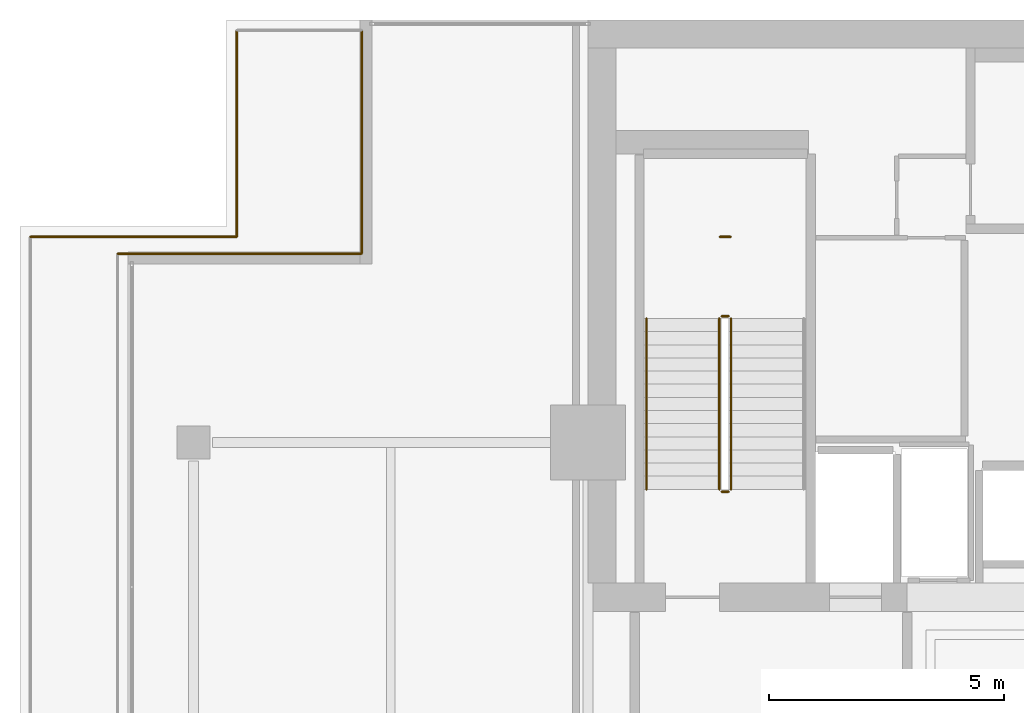
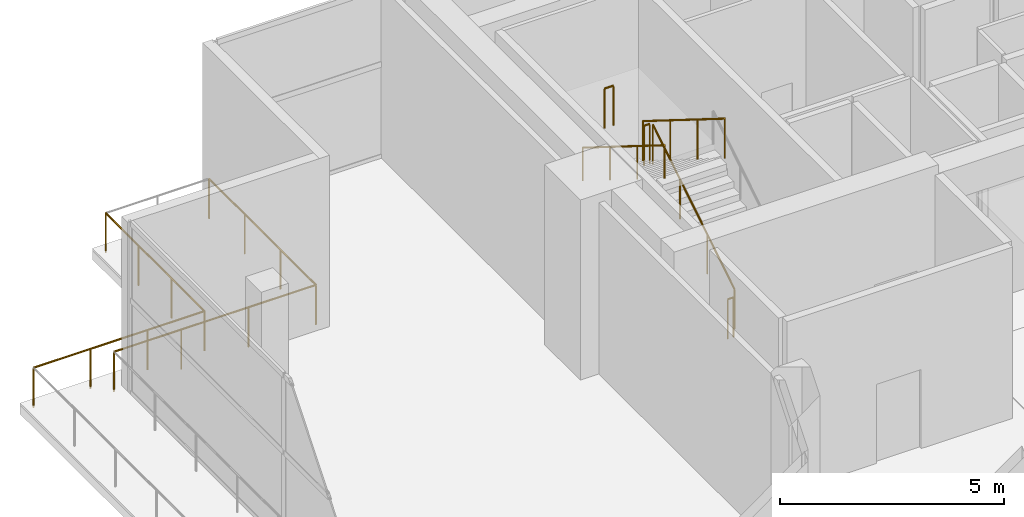
# One storey, part 26 of 28: 10 railings.
"""IFC4 building model written with IfcOpenShell, lengths in metres."""

from ifc_helpers import new_model, si_unit, direction, frame, origin, origin_2d, place, context, subcontext, project, spatial, circle, extrude, material, type_object, element, save


model = new_model("IFC4")

# Units and contexts
model_context = context("Model", 3, precision=1e-05, world=origin(), true_north=direction((0.0, 1.0)))
body_context = subcontext(model_context, "Body", "Model", "MODEL_VIEW")
ifc_project = project(units=[si_unit("LENGTHUNIT", "METRE"), si_unit("AREAUNIT", "SQUARE_METRE"), si_unit("VOLUMEUNIT", "CUBIC_METRE"), si_unit("PLANEANGLEUNIT", "RADIAN"), si_unit("MASSUNIT", "GRAM", prefix="KILO")], contexts=[model_context])

# Site, building, storey
site_placement = place(None, origin())
site = spatial("IfcSite", under=ifc_project, at=site_placement, CompositionType="ELEMENT")
building_placement = place(site_placement, origin())
building = spatial("IfcBuilding", under=site, at=building_placement, Name="Maruvema Waterfront Hotel and Observation Tower", CompositionType="ELEMENT")
storey_placement = place(building_placement, frame((0.0, 0.0, 234.5)))
storey = spatial("IfcBuildingStorey", under=building, at=storey_placement, Name="L57", CompositionType="ELEMENT", Elevation=234.5)

# Railings
ifc_material_1 = material(Name="Brushed stainless steel Grade 316", Category="steel")
railing_type_1 = type_object("IfcRailingType", Name="Ramp Continuous Wall Handrail 920 mm", PredefinedType="HANDRAIL", material=ifc_material_1)
railing_1_placement = place(storey_placement, frame((26.449951171875, 47.639892578125, 2.625)))
element("IfcRailing", 1, at=railing_1_placement, inside=storey, type_object=railing_type_1, Name="L57 ST-01 stair handrail 2", PredefinedType="HANDRAIL", context=body_context, shape_type="SweptSolid", body=[
    extrude(circle(Radius=0.02392578125, at=origin_2d()), frame((0.0, 0.0, 0.89599609375), z_axis=(0.0, -0.848001499411, 0.52999382732), x_axis=(1.0, 0.0, 0.0)), (0.0, 0.0, 1.0), 4.292236328125),
    extrude(circle(Radius=0.02099609375, at=origin_2d()), origin(), (0.0, 0.0, 1.0), 0.871826171875),
    extrude(circle(Radius=0.02099609375, at=origin_2d()), frame((0.0, -1.21337890625, 0.75830078125)), (0.0, 0.0, 1.0), 0.871826171875),
    extrude(circle(Radius=0.02099609375, at=origin_2d()), frame((0.0, -2.426513671875, 1.5166015625)), (0.0, 0.0, 1.0), 0.871826171875),
    extrude(circle(Radius=0.02099609375, at=origin_2d()), frame((0.0, -3.639892578125, 2.27490234375)), (0.0, 0.0, 1.0), 0.871826171875),
])
ifc_material_2 = material(Name="Brushed stainless steel Grade 316", Category="steel")
railing_type_2 = type_object("IfcRailingType", Name="Ramp and Terrace Guard Balustrade 1100 mm", PredefinedType="BALUSTRADE", material=ifc_material_2)
railing_2_placement = place(storey_placement, frame((28.25, 44.0, 0.175048828125)))
element("IfcRailing", 2, at=railing_2_placement, inside=storey, type_object=railing_type_2, Name="L57 ST-01 stair guard 1", PredefinedType="BALUSTRADE", context=body_context, shape_type="SweptSolid", body=[
    extrude(circle(Radius=0.02392578125, at=origin_2d()), frame((0.0, 0.0, 1.076171875), z_axis=(0.0, 0.848001499411, 0.52999382732), x_axis=(-1.0, 0.0, 0.0)), (0.0, 0.0, 1.0), 4.292236328125),
    extrude(circle(Radius=0.02099609375, at=origin_2d()), origin(), (0.0, 0.0, 1.0), 1.052001953125),
    extrude(circle(Radius=0.02099609375, at=origin_2d()), frame((0.0, 1.21337890625, 0.75830078125)), (0.0, 0.0, 1.0), 1.052001953125),
    extrude(circle(Radius=0.02099609375, at=origin_2d()), frame((0.0, 2.426513671875, 1.5166015625)), (0.0, 0.0, 1.0), 1.052001953125),
    extrude(circle(Radius=0.02099609375, at=origin_2d()), frame((0.0, 3.639892578125, 2.27490234375)), (0.0, 0.0, 1.0), 1.052001953125),
])
railing_3_placement = place(storey_placement, frame((28.199951171875, 47.68994140625, 2.449951171875)))
element("IfcRailing", 3, at=railing_3_placement, inside=storey, type_object=railing_type_2, Name="L57 ST-01 stair guard 2", PredefinedType="BALUSTRADE", context=body_context, shape_type="SweptSolid", body=[
    extrude(circle(Radius=0.02392578125, at=origin_2d()), frame((0.0, 0.0, 1.076171875), z_axis=(-1.0, 0.0, 0.0), x_axis=(0.0, -1.0, 0.0)), (0.0, 0.0, 1.0), 0.14990234375),
    extrude(circle(Radius=0.02099609375, at=origin_2d()), origin(), (0.0, 0.0, 1.0), 1.052001953125),
    extrude(circle(Radius=0.02099609375, at=origin_2d()), frame((-0.14990234375, 0.0, 0.0)), (0.0, 0.0, 1.0), 1.052001953125),
])
railing_4_placement = place(storey_placement, frame((28.0, 47.639892578125, 2.625)))
element("IfcRailing", 4, at=railing_4_placement, inside=storey, type_object=railing_type_2, Name="L57 ST-01 stair guard 3", PredefinedType="BALUSTRADE", context=body_context, shape_type="SweptSolid", body=[
    extrude(circle(Radius=0.02392578125, at=origin_2d()), frame((0.0, 0.0, 1.076171875), z_axis=(0.0, -0.848001499411, 0.52999382732), x_axis=(1.0, 0.0, 0.0)), (0.0, 0.0, 1.0), 4.292236328125),
    extrude(circle(Radius=0.02099609375, at=origin_2d()), origin(), (0.0, 0.0, 1.0), 1.052001953125),
    extrude(circle(Radius=0.02099609375, at=origin_2d()), frame((0.0, -1.21337890625, 0.75830078125)), (0.0, 0.0, 1.0), 1.052001953125),
    extrude(circle(Radius=0.02099609375, at=origin_2d()), frame((0.0, -2.426513671875, 1.5166015625)), (0.0, 0.0, 1.0), 1.052001953125),
    extrude(circle(Radius=0.02099609375, at=origin_2d()), frame((0.0, -3.639892578125, 2.27490234375)), (0.0, 0.0, 1.0), 1.052001953125),
])
railing_5_placement = place(storey_placement, frame((28.199951171875, 43.949951171875, 0.0)))
element("IfcRailing", 5, at=railing_5_placement, inside=storey, type_object=railing_type_2, Name="L57 ST-01 stair guard 4", PredefinedType="BALUSTRADE", context=body_context, shape_type="SweptSolid", body=[
    extrude(circle(Radius=0.02392578125, at=origin_2d()), frame((0.0, 0.0, 1.076171875), z_axis=(-1.0, 0.0, 0.0), x_axis=(0.0, -1.0, 0.0)), (0.0, 0.0, 1.0), 0.14990234375),
    extrude(circle(Radius=0.02099609375, at=origin_2d()), origin(), (0.0, 0.0, 1.0), 1.052001953125),
    extrude(circle(Radius=0.02099609375, at=origin_2d()), frame((-0.14990234375, 0.0, 0.0)), (0.0, 0.0, 1.0), 1.052001953125),
])
railing_6_placement = place(storey_placement, frame((28.239990234375, 49.3798828125, 2.449951171875)))
element("IfcRailing", 6, at=railing_6_placement, inside=storey, type_object=railing_type_2, Name="L57 ST-01 Half-Landing Slot Guard", PredefinedType="BALUSTRADE", context=body_context, shape_type="SweptSolid", body=[
    extrude(circle(Radius=0.02392578125, at=origin_2d()), frame((0.0, 0.0, 1.076171875), z_axis=(-1.0, 0.0, 0.0), x_axis=(0.0, -1.0, 0.0)), (0.0, 0.0, 1.0), 0.22998046875),
    extrude(circle(Radius=0.02099609375, at=origin_2d()), origin(), (0.0, 0.0, 1.0), 1.052001953125),
    extrude(circle(Radius=0.02099609375, at=origin_2d()), frame((-0.22998046875, 0.0, 0.0)), (0.0, 0.0, 1.0), 1.052001953125),
])
railing_7_placement = place(storey_placement, frame((13.320068359375, 49.3798828125, 0.0)))
element("IfcRailing", 7, at=railing_7_placement, inside=storey, type_object=railing_type_2, Name="L57 Perimeter Safety Balustrade 10", PredefinedType="BALUSTRADE", context=body_context, shape_type="SweptSolid", body=[
    extrude(circle(Radius=0.02392578125, at=origin_2d()), frame((0.0, 0.0, 1.076171875), z_axis=(1.0, 0.0, 0.0), x_axis=(0.0, 1.0, 0.0)), (0.0, 0.0, 1.0), 4.39990234375),
    extrude(circle(Radius=0.02099609375, at=origin_2d()), origin(), (0.0, 0.0, 1.0), 1.052001953125),
    extrude(circle(Radius=0.02099609375, at=origin_2d()), frame((1.466552734375, 0.0, 0.0)), (0.0, 0.0, 1.0), 1.052001953125),
    extrude(circle(Radius=0.02099609375, at=origin_2d()), frame((2.933349609375, 0.0, 0.0)), (0.0, 0.0, 1.0), 1.052001953125),
    extrude(circle(Radius=0.02099609375, at=origin_2d()), frame((4.39990234375, 0.0, 0.0)), (0.0, 0.0, 1.0), 1.052001953125),
])
railing_8_placement = place(storey_placement, frame((17.719970703125, 49.3798828125, 0.0)))
element("IfcRailing", 8, at=railing_8_placement, inside=storey, type_object=railing_type_2, Name="L57 Perimeter Safety Balustrade 11", PredefinedType="BALUSTRADE", context=body_context, shape_type="SweptSolid", body=[
    extrude(circle(Radius=0.02392578125, at=origin_2d()), frame((0.0, 0.0, 1.076171875), z_axis=(0.0, 1.0, 0.0), x_axis=(-1.0, 0.0, 0.0)), (0.0, 0.0, 1.0), 4.400146484375),
    extrude(circle(Radius=0.02099609375, at=origin_2d()), origin(), (0.0, 0.0, 1.0), 1.052001953125),
    extrude(circle(Radius=0.02099609375, at=origin_2d()), frame((0.0, 1.466796875, 0.0)), (0.0, 0.0, 1.0), 1.052001953125),
    extrude(circle(Radius=0.02099609375, at=origin_2d()), frame((0.0, 2.933349609375, 0.0)), (0.0, 0.0, 1.0), 1.052001953125),
    extrude(circle(Radius=0.02099609375, at=origin_2d()), frame((0.0, 4.400146484375, 0.0)), (0.0, 0.0, 1.0), 1.052001953125),
])
railing_9_placement = place(storey_placement, frame((20.3798828125, 53.780029296875, 0.0)))
element("IfcRailing", 9, at=railing_9_placement, inside=storey, type_object=railing_type_2, Name="L57 Perimeter Safety Balustrade 13", PredefinedType="BALUSTRADE", context=body_context, shape_type="SweptSolid", body=[
    extrude(circle(Radius=0.02392578125, at=origin_2d()), frame((0.0, 0.0, 1.076171875), z_axis=(0.0, -1.0, 0.0), x_axis=(1.0, 0.0, 0.0)), (0.0, 0.0, 1.0), 4.760009765625),
    extrude(circle(Radius=0.02099609375, at=origin_2d()), origin(), (0.0, 0.0, 1.0), 1.052001953125),
    extrude(circle(Radius=0.02099609375, at=origin_2d()), frame((0.0, -1.586669921875, 0.0)), (0.0, 0.0, 1.0), 1.052001953125),
    extrude(circle(Radius=0.02099609375, at=origin_2d()), frame((0.0, -3.17333984375, 0.0)), (0.0, 0.0, 1.0), 1.052001953125),
    extrude(circle(Radius=0.02099609375, at=origin_2d()), frame((0.0, -4.760009765625, 0.0)), (0.0, 0.0, 1.0), 1.052001953125),
])
railing_10_placement = place(storey_placement, frame((20.3798828125, 49.02001953125, 0.0)))
element("IfcRailing", 10, at=railing_10_placement, inside=storey, type_object=railing_type_2, Name="L57 Perimeter Safety Balustrade 14", PredefinedType="BALUSTRADE", context=body_context, shape_type="SweptSolid", body=[
    extrude(circle(Radius=0.02392578125, at=origin_2d()), frame((0.0, 0.0, 1.076171875), z_axis=(-1.0, 0.0, 0.0), x_axis=(0.0, -1.0, 0.0)), (0.0, 0.0, 1.0), 5.199951171875),
    extrude(circle(Radius=0.02099609375, at=origin_2d()), origin(), (0.0, 0.0, 1.0), 1.052001953125),
    extrude(circle(Radius=0.02099609375, at=origin_2d()), frame((-1.7333984375, 0.0, 0.0)), (0.0, 0.0, 1.0), 1.052001953125),
    extrude(circle(Radius=0.02099609375, at=origin_2d()), frame((-3.466552734375, 0.0, 0.0)), (0.0, 0.0, 1.0), 1.052001953125),
    extrude(circle(Radius=0.02099609375, at=origin_2d()), frame((-5.199951171875, 0.0, 0.0)), (0.0, 0.0, 1.0), 1.052001953125),
])

save(model, "model.ifc")
